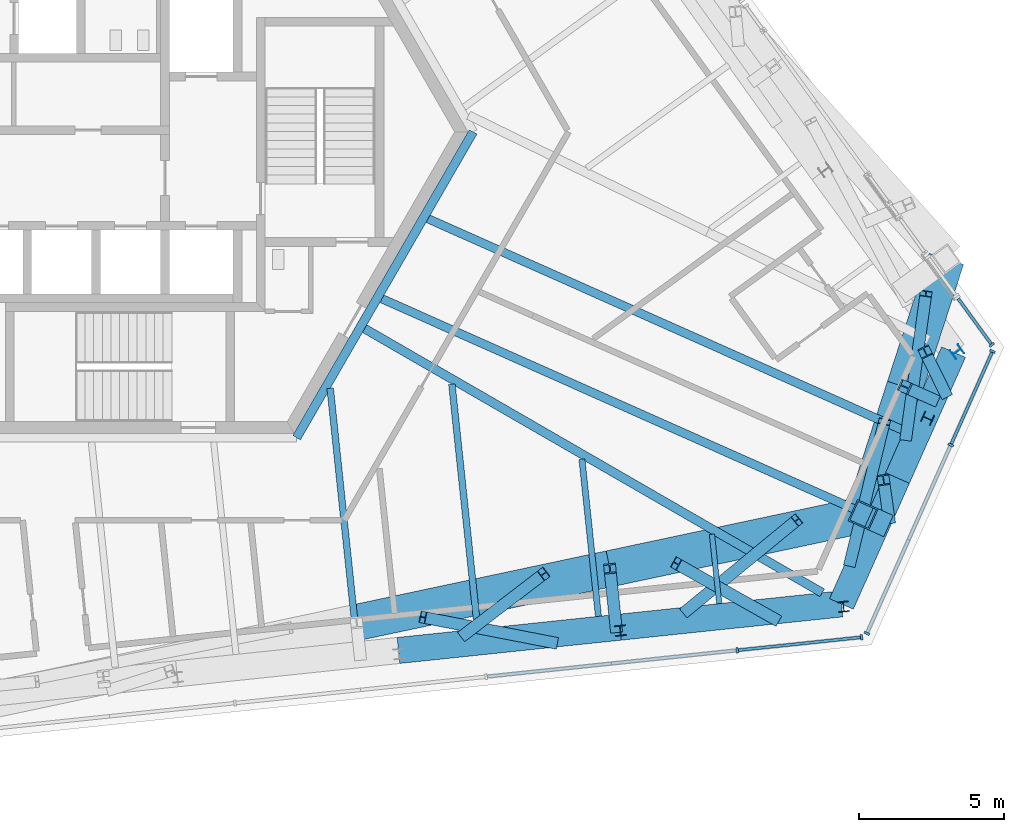
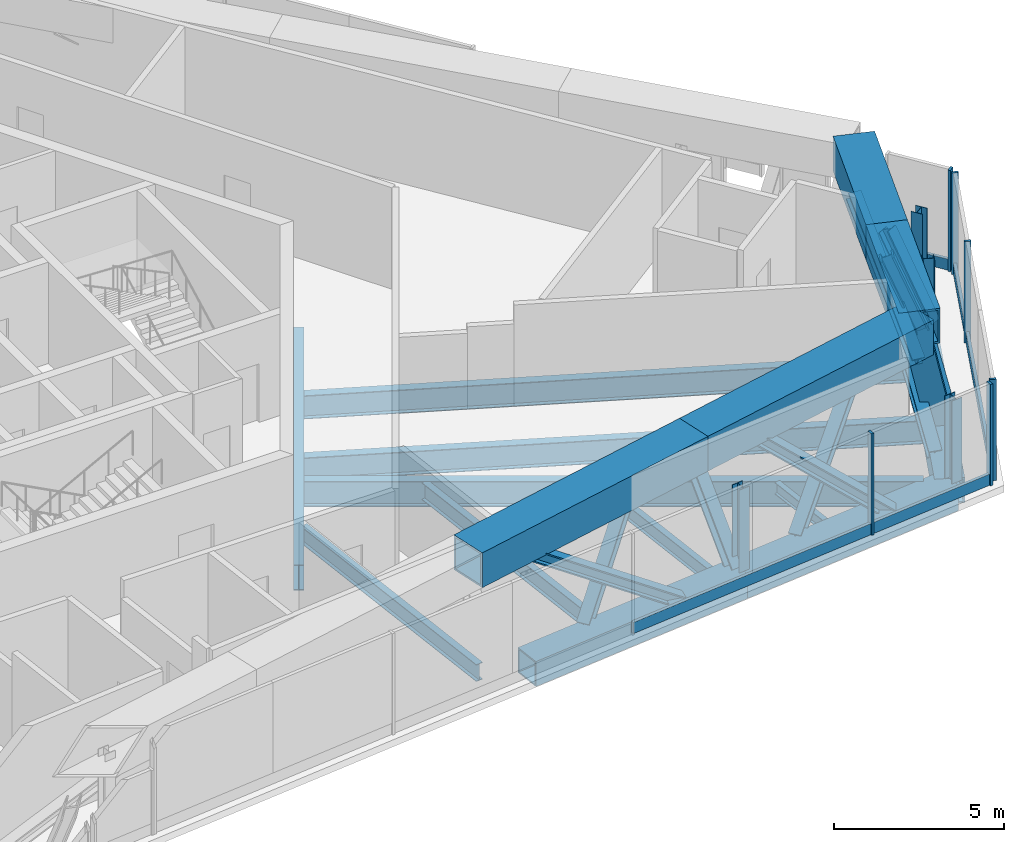
# One storey, part 4 of 23: 34 members, 8 beams, 3 elements without a shape of their own.
"""IFC4 building model written with IfcOpenShell, lengths in metres."""

from ifc_helpers import new_model, si_unit, direction, frame, origin, origin_2d, place, context, subcontext, project, spatial, rectangle, hollow_rectangle, i_section, extrude, source, transform, mapped, material, material_profile, profile_set, type_object, element, aggregate, save


model = new_model("IFC4")

# Units and contexts
model_context = context("Model", 3, precision=1e-05, world=origin(), true_north=direction((0.0, 1.0)))
body_context = subcontext(model_context, "Body", "Model", "MODEL_VIEW")
ifc_project = project(units=[si_unit("LENGTHUNIT", "METRE"), si_unit("AREAUNIT", "SQUARE_METRE"), si_unit("VOLUMEUNIT", "CUBIC_METRE"), si_unit("PLANEANGLEUNIT", "RADIAN"), si_unit("MASSUNIT", "GRAM", prefix="KILO")], contexts=[model_context])

# Site, building, storey
site_placement = place(None, origin())
site = spatial("IfcSite", under=ifc_project, at=site_placement, CompositionType="ELEMENT")
building_placement = place(site_placement, origin())
building = spatial("IfcBuilding", under=site, at=building_placement, Name="Triune Harvest Tower", CompositionType="ELEMENT")
storey_placement = place(building_placement, frame((0.0, 0.0, 255.699951171875)))
storey = spatial("IfcBuildingStorey", under=building, at=storey_placement, Name="L67", CompositionType="ELEMENT", Elevation=255.699951171875)

# Members
ifc_material_1 = material(Name="Steel ASTM A992 Gr 50", Category="steel")
ifc_material_profile_1 = material_profile(ifc_material_1, i_section(OverallWidth=0.40380859375, OverallDepth=0.406494140625, WebThickness=0.027099609375, FlangeThickness=0.043701171875, at=origin_2d()), Name="W14x233")
ifc_profile_set_1 = profile_set([ifc_material_profile_1], Name="Steel ASTM A992 Gr 50")
member_type_1 = type_object("IfcMemberType", Name="TD-3 Belt truss diagonal W14x233", PredefinedType="BRACE", material=ifc_profile_set_1)
member_1_placement = place(storey_placement, frame((14.978759765625, -17.61865234375, -0.324951171875), z_axis=(-0.843447237607, 0.164038952307, 0.511554473638), x_axis=(-0.190909270103, -0.9816076867, 0.0)))
element("IfcMember", 1, at=member_1_placement, inside=storey, type_object=member_type_1, Name="truss/L67/TD36", PredefinedType="BRACE", context=body_context, shape_type="SweptSolid", body=[
    extrude(i_section(OverallWidth=0.40380859375, OverallDepth=0.406494140625, WebThickness=0.027099609375, FlangeThickness=0.043701171875, at=origin_2d()), origin(), (0.0, 0.0, 1.0), 5.375732421875),
])
member_2_placement = place(storey_placement, frame((27.100830078125, -10.542236328125, -0.324951171875), z_axis=(0.120447265871, 0.868254306407, 0.48127634011), x_axis=(-0.990514583948, 0.137407638017, 0.0)))
element("IfcMember", 2, at=member_2_placement, inside=storey, type_object=member_type_1, Name="truss/L67/TD41", PredefinedType="BRACE", context=body_context, shape_type="SweptSolid", body=[
    extrude(i_section(OverallWidth=0.40380859375, OverallDepth=0.406494140625, WebThickness=0.027099609375, FlangeThickness=0.043701171875, at=origin_2d()), origin(), (0.0, 0.0, 1.0), 5.7138671875),
])

# Curtain wall, member
ifc_material_2 = material(Name="Aluminium bronze anodised", Category="aluminium")
curtain_wall_type = type_object("IfcCurtainWallType", Name="CW-5 Plant louvre wall", PredefinedType="NOTDEFINED", material=ifc_material_2)
curtain_wall_1_placement = place(storey_placement, origin())
curtain_wall_1 = element("IfcCurtainWall", 3, at=curtain_wall_1_placement, inside=storey, type_object=curtain_wall_type, Name="CW-5 B6-F5 L67 run 801")
ifc_material_3 = material(Name="Aluminium bronze anodised", Category="aluminium")
ifc_material_profile_2 = material_profile(ifc_material_3, rectangle(XDim=0.10009765625, YDim=0.39990234375, at=origin_2d()), Name="TR-5 transom 100 x 400")
ifc_profile_set_2 = profile_set([ifc_material_profile_2], Name="Aluminium bronze anodised")
member_type_2 = type_object("IfcMemberType", Name="TR-5 transom 100 x 400", PredefinedType="USERDEFINED", material=ifc_profile_set_2)
member_3_placement = place(storey_placement, frame((21.321533203125, -17.87255859375, 0.199951171875), z_axis=(0.994525657324, 0.104492664448, 0.0), x_axis=(-0.104492664448, 0.994525657324, 0.0)))
member_3 = element("IfcMember", 4, at=member_3_placement, type_object=member_type_2, Name="CW-5 transom B6-F5 801.4", ObjectType="TRANSOM", PredefinedType="USERDEFINED", context=body_context, shape_type="SweptSolid", body=[
    extrude(rectangle(XDim=0.10009765625, YDim=0.39990234375, at=origin_2d()), origin(), (0.0, 0.0, 1.0), 4.233642578125),
])

# Beams
ifc_material_4 = material(Name="Steel ASTM A992 Gr 50", Category="steel")
ifc_material_profile_3 = material_profile(ifc_material_4, i_section(OverallWidth=0.3046875, OverallDepth=0.914306640625, WebThickness=0.0166015625, FlangeThickness=0.02587890625, at=origin_2d()), Name="W36x160")
ifc_profile_set_3 = profile_set([ifc_material_profile_3], Name="Steel ASTM A992 Gr 50")
beam_type_1 = type_object("IfcBeamType", Name="CG-1 Core ring girder W36x160", PredefinedType="BEAM", material=ifc_profile_set_3)
shared_shape_1 = source(origin(), body_context, "Body", "SweptSolid", [
    extrude(i_section(OverallWidth=0.3046875, OverallDepth=0.914306640625, WebThickness=0.0166015625, FlangeThickness=0.02587890625, at=origin_2d()), origin(), (0.0, 0.0, 1.0), 12.176025390625),
])
beam_1_placement = place(storey_placement, frame((6.087890625, -10.544677734375, -0.70703125), z_axis=(0.5000099932, 0.866019634131, 0.0), x_axis=(-0.866019634131, 0.5000099932, 0.0)))
element("IfcBeam", 5, at=beam_1_placement, inside=storey, type_object=beam_type_1, Name="beam/L67/CG6", PredefinedType="BEAM", context=body_context, shape_type="MappedRepresentation", body=[
    mapped(shared_shape_1, transform((0.0, 0.0, 0.0), scale=1.0)),
])
ifc_material_5 = material(Name="Steel ASTM A992 Gr 50", Category="steel")
ifc_material_profile_4 = material_profile(ifc_material_5, i_section(OverallWidth=0.3046875, OverallDepth=0.914306640625, WebThickness=0.0166015625, FlangeThickness=0.02587890625, at=origin_2d()), Name="W36x160")
ifc_profile_set_4 = profile_set([ifc_material_profile_4], Name="Steel ASTM A992 Gr 50")
beam_type_2 = type_object("IfcBeamType", Name="HG-3 Hip girder W36x160", PredefinedType="BEAM", material=ifc_profile_set_4)
shared_shape_2 = source(origin(), body_context, "Body", "SweptSolid", [
    extrude(i_section(OverallWidth=0.3046875, OverallDepth=0.914306640625, WebThickness=0.0166015625, FlangeThickness=0.02587890625, at=origin_2d()), origin(), (0.0, 0.0, 1.0), 18.218994140625),
])
beam_2_placement = place(storey_placement, frame((24.212890625, -15.89404296875, -0.70703125), z_axis=(-0.866022014213, 0.500005870864, 0.0), x_axis=(-0.500005870864, -0.866022014213, 0.0)))
element("IfcBeam", 6, at=beam_2_placement, inside=storey, type_object=beam_type_2, Name="beam/L67/HG10", PredefinedType="BEAM", context=body_context, shape_type="MappedRepresentation", body=[
    mapped(shared_shape_2, transform((0.0, 0.0, 0.0), scale=1.0)),
])
ifc_material_6 = material(Name="Steel ASTM A992 Gr 50", Category="steel")
ifc_material_profile_5 = material_profile(ifc_material_6, i_section(OverallWidth=0.22900390625, OverallDepth=0.612060546875, WebThickness=0.011962890625, FlangeThickness=0.01953125, at=origin_2d()), Name="W24x84")
ifc_profile_set_5 = profile_set([ifc_material_profile_5], Name="Steel ASTM A992 Gr 50")
beam_type_3 = type_object("IfcBeamType", Name="JT-3 Floor joist W24x84", PredefinedType="JOIST", material=ifc_profile_set_5)
shared_shape_3 = source(origin(), body_context, "Body", "SweptSolid", [
    extrude(i_section(OverallWidth=0.22900390625, OverallDepth=0.612060546875, WebThickness=0.011962890625, FlangeThickness=0.01953125, at=origin_2d()), origin(), (0.0, 0.0, 1.0), 8.787109375),
])
beam_3_placement = place(storey_placement, frame((8.16552734375, -17.580810546875, -0.55615234375), z_axis=(-0.104522799546, 0.994522490633, 0.0), x_axis=(-0.994522490633, -0.104522799546, 0.0)))
element("IfcBeam", 7, at=beam_3_placement, inside=storey, type_object=beam_type_3, Name="beam/L67/JT31", PredefinedType="JOIST", context=body_context, shape_type="MappedRepresentation", body=[
    mapped(shared_shape_3, transform((0.0, 0.0, 0.0), scale=1.0)),
])
shared_shape_4 = source(origin(), body_context, "Body", "SweptSolid", [
    extrude(i_section(OverallWidth=0.22900390625, OverallDepth=0.612060546875, WebThickness=0.011962890625, FlangeThickness=0.01953125, at=origin_2d()), origin(), (0.0, 0.0, 1.0), 8.49169921875),
])
beam_4_placement = place(storey_placement, frame((12.33154296875, -17.142822265625, -0.55615234375), z_axis=(-0.104538114626, 0.994520880922, 0.0), x_axis=(-0.994520880922, -0.104538114626, 0.0)))
element("IfcBeam", 8, at=beam_4_placement, inside=storey, type_object=beam_type_3, Name="beam/L67/JT32", PredefinedType="JOIST", context=body_context, shape_type="MappedRepresentation", body=[
    mapped(shared_shape_4, transform((0.0, 0.0, 0.0), scale=1.0)),
])
ifc_material_7 = material(Name="Steel ASTM A992 Gr 50", Category="steel")
ifc_material_profile_6 = material_profile(ifc_material_7, i_section(OverallWidth=0.180908203125, OverallDepth=0.41650390625, WebThickness=0.010986328125, FlangeThickness=0.01806640625, at=origin_2d()), Name="W16x57")
ifc_profile_set_6 = profile_set([ifc_material_profile_6], Name="Steel ASTM A992 Gr 50")
beam_type_4 = type_object("IfcBeamType", Name="JT-1 Floor joist W16x57", PredefinedType="JOIST", material=ifc_profile_set_6)
shared_shape_5 = source(origin(), body_context, "Body", "SweptSolid", [
    extrude(i_section(OverallWidth=0.180908203125, OverallDepth=0.41650390625, WebThickness=0.010986328125, FlangeThickness=0.01806640625, at=origin_2d()), origin(), (0.0, 0.0, 1.0), 2.405029296875),
])
beam_5_placement = place(storey_placement, frame((20.6630859375, -16.26708984375, -0.458251953125), z_axis=(-0.104557962465, 0.994518794435, 0.0), x_axis=(-0.994518794435, -0.104557962465, 0.0)))
element("IfcBeam", 9, at=beam_5_placement, inside=storey, type_object=beam_type_4, Name="beam/L67/JT34", PredefinedType="JOIST", context=body_context, shape_type="MappedRepresentation", body=[
    mapped(shared_shape_5, transform((0.0, 0.0, 0.0), scale=1.0)),
])
ifc_material_8 = material(Name="Steel ASTM A992 Gr 50", Category="steel")
ifc_material_profile_7 = material_profile(ifc_material_8, i_section(OverallWidth=0.2919921875, OverallDepth=0.8408203125, WebThickness=0.0146484375, FlangeThickness=0.021728515625, at=origin_2d()), Name="W33x130")
ifc_profile_set_7 = profile_set([ifc_material_profile_7], Name="Steel ASTM A992 Gr 50")
beam_type_5 = type_object("IfcBeamType", Name="JT-6 Floor joist W33x130", PredefinedType="JOIST", material=ifc_profile_set_7)
shared_shape_6 = source(origin(), body_context, "Body", "SweptSolid", [
    extrude(i_section(OverallWidth=0.2919921875, OverallDepth=0.8408203125, WebThickness=0.0146484375, FlangeThickness=0.021728515625, at=origin_2d()), origin(), (0.0, 0.0, 1.0), 18.306396484375),
])
beam_6_placement = place(storey_placement, frame((25.75341796875, -13.199951171875, -0.67041015625), z_axis=(-0.913541319534, 0.406745937292, 0.0), x_axis=(-0.406745937292, -0.913541319534, 0.0)))
element("IfcBeam", 10, at=beam_6_placement, inside=storey, type_object=beam_type_5, Name="beam/L67/JT35", PredefinedType="JOIST", context=body_context, shape_type="MappedRepresentation", body=[
    mapped(shared_shape_6, transform((0.0, 0.0, 0.0), scale=1.0)),
])
shared_shape_7 = source(origin(), body_context, "Body", "SweptSolid", [
    extrude(i_section(OverallWidth=0.2919921875, OverallDepth=0.8408203125, WebThickness=0.0146484375, FlangeThickness=0.021728515625, at=origin_2d()), origin(), (0.0, 0.0, 1.0), 17.973388671875),
])
beam_7_placement = place(storey_placement, frame((27.0419921875, -10.305908203125, -0.67041015625), z_axis=(-0.91354752702, 0.406731995146, 0.0), x_axis=(-0.406731995146, -0.91354752702, 0.0)))
element("IfcBeam", 11, at=beam_7_placement, inside=storey, type_object=beam_type_5, Name="beam/L67/JT36", PredefinedType="JOIST", context=body_context, shape_type="MappedRepresentation", body=[
    mapped(shared_shape_7, transform((0.0, 0.0, 0.0), scale=1.0)),
])
ifc_material_9 = material(Name="Steel ASTM A992 Gr 50", Category="steel")
ifc_material_profile_8 = material_profile(ifc_material_9, i_section(OverallWidth=0.2099609375, OverallDepth=0.535888671875, WebThickness=0.010986328125, FlangeThickness=0.017333984375, at=origin_2d()), Name="W21x68")
ifc_profile_set_8 = profile_set([ifc_material_profile_8], Name="Steel ASTM A992 Gr 50")
beam_type_6 = type_object("IfcBeamType", Name="JT-2 Floor joist W21x68", PredefinedType="JOIST", material=ifc_profile_set_8)
shared_shape_8 = source(origin(), body_context, "Body", "SweptSolid", [
    extrude(i_section(OverallWidth=0.2099609375, OverallDepth=0.535888671875, WebThickness=0.010986328125, FlangeThickness=0.017333984375, at=origin_2d()), origin(), (0.0, 0.0, 1.0), 5.447998046875),
])
beam_8_placement = place(storey_placement, frame((16.497314453125, -16.704833984375, -0.51806640625), z_axis=(-0.10454715443, 0.99451993067, 0.0), x_axis=(-0.99451993067, -0.10454715443, 0.0)))
element("IfcBeam", 12, at=beam_8_placement, inside=storey, type_object=beam_type_6, Name="beam/L67/JT33", PredefinedType="JOIST", context=body_context, shape_type="MappedRepresentation", body=[
    mapped(shared_shape_8, transform((0.0, 0.0, 0.0), scale=1.0)),
])

# Members
ifc_material_10 = material(Name="Steel ASTM A992 Gr 50", Category="steel")
ifc_material_profile_9 = material_profile(ifc_material_10, i_section(OverallWidth=0.368408203125, OverallDepth=0.355712890625, WebThickness=0.01123046875, FlangeThickness=0.01806640625, at=origin_2d()), Name="W14x90")
ifc_profile_set_9 = profile_set([ifc_material_profile_9], Name="Steel ASTM A992 Gr 50")
member_type_3 = type_object("IfcMemberType", Name="WP-6 Roof edge post W14x90", PredefinedType="POST", material=ifc_profile_set_9)
shared_shape_9 = source(origin(), body_context, "Body", "SweptSolid", [
    extrude(i_section(OverallWidth=0.368408203125, OverallDepth=0.355712890625, WebThickness=0.01123046875, FlangeThickness=0.01806640625, at=origin_2d()), origin(), (0.0, 0.0, 1.0), 2.9755859375),
])
for number, where, z_axis, x_axis, name in (
    (13, (28.860595703125, -7.58251953125, -0.25), (0.0, 0.0, 1.0), (-0.587785252292, 0.809016994375, 0.0), "post/L67/W0"),
    (14, (17.251220703125, -17.19873046875, -0.25), (0.0, 0.0, 1.0), (0.99452171293, 0.104530199036, 0.0), "post/L67/W21"),
    (15, (24.946533203125, -16.373779296875, -0.25), (0.0, 0.0, 1.0), (0.99452171293, 0.104530199036, 0.0), "post/L67/W22"),
    (16, (27.8466796875, -9.880615234375, -0.25), (0.0, 0.0, 1.0), (0.406741426383, 0.913543327962, 0.0), "post/L67/W23"),
):
    element("IfcMember", number, at=place(storey_placement, frame(where, z_axis=z_axis, x_axis=x_axis)), inside=storey, type_object=member_type_3, Name=name, PredefinedType="POST", context=body_context, shape_type="MappedRepresentation", body=[
        mapped(shared_shape_9, transform((0.0, 0.0, 0.0), scale=1.0)),
    ])
ifc_material_11 = material(Name="Steel ASTM A572 Gr 50", Category="steel")
ifc_material_profile_10 = material_profile(ifc_material_11, hollow_rectangle(XDim=0.89990234375, YDim=0.89990234375, WallThickness=0.050048828125, at=origin_2d()), Name="Box 900x900x50")
ifc_profile_set_10 = profile_set([ifc_material_profile_10], Name="Steel ASTM A572 Gr 50")
member_type_4 = type_object("IfcMemberType", Name="TC-2 Belt truss chord Box 900x900x50", PredefinedType="CHORD", material=ifc_profile_set_10)
shared_shape_10 = source(origin(), body_context, "Body", "SweptSolid", [
    extrude(hollow_rectangle(XDim=0.89990234375, YDim=0.89990234375, WallThickness=0.050048828125, at=origin_2d()), origin(), (0.0, 0.0, 1.0), 7.679443359375),
])
member_4_placement = place(storey_placement, frame((17.238525390625, -17.07958984375, -0.699951171875), z_axis=(0.994521815363, 0.104529224464, 0.0), x_axis=(-0.104529224464, 0.994521815363, 0.0)))
element("IfcMember", 17, at=member_4_placement, inside=storey, type_object=member_type_4, Name="truss/L67/TCB22", PredefinedType="CHORD", context=body_context, shape_type="MappedRepresentation", body=[
    mapped(shared_shape_10, transform((0.0, 0.0, 0.0), scale=1.0)),
])
shared_shape_11 = source(origin(), body_context, "Body", "SweptSolid", [
    extrude(hollow_rectangle(XDim=0.89990234375, YDim=0.89990234375, WallThickness=0.050048828125, at=origin_2d()), origin(), (0.0, 0.0, 1.0), 4.751708984375),
])
for number, where, z_axis, x_axis, name in (
    (18, (24.8759765625, -16.27685546875, -0.699951171875), (0.406729523831, 0.913548627301, 0.0), (-0.913548627301, 0.406729523831, 0.0), "truss/L67/TCB23"),
    (19, (26.80859375, -11.93603515625, -0.699951171875), (0.406772403324, 0.913529535316, 0.0), (-0.913529535316, 0.406772403324, 0.0), "truss/L67/TCB24"),
):
    element("IfcMember", number, at=place(storey_placement, frame(where, z_axis=z_axis, x_axis=x_axis)), inside=storey, type_object=member_type_4, Name=name, PredefinedType="CHORD", context=body_context, shape_type="MappedRepresentation", body=[
        mapped(shared_shape_11, transform((0.0, 0.0, 0.0), scale=1.0)),
    ])
shared_shape_12 = source(origin(), body_context, "Body", "SweptSolid", [
    extrude(hollow_rectangle(XDim=0.89990234375, YDim=0.89990234375, WallThickness=0.050048828125, at=origin_2d()), origin(), (0.0, 0.0, 1.0), 7.67919921875),
])
member_5_placement = place(storey_placement, frame((9.601318359375, -17.88232421875, -0.699951171875), z_axis=(0.994521467985, 0.104532529465, 0.0), x_axis=(-0.104532529465, 0.994521467985, 0.0)))
element("IfcMember", 20, at=member_5_placement, inside=storey, type_object=member_type_4, Name="truss/L67/TCB21", PredefinedType="CHORD", context=body_context, shape_type="MappedRepresentation", body=[
    mapped(shared_shape_12, transform((0.0, 0.0, 0.0), scale=1.0)),
])
ifc_material_12 = material(Name="Steel ASTM A572 Gr 50", Category="steel")
ifc_material_profile_11 = material_profile(ifc_material_12, hollow_rectangle(XDim=1.25, YDim=1.25, WallThickness=0.070068359375, at=origin_2d()), Name="Box 1250x1250x70")
ifc_profile_set_11 = profile_set([ifc_material_profile_11], Name="Steel ASTM A572 Gr 50")
member_type_5 = type_object("IfcMemberType", Name="TC-1 Belt truss chord Box 1250x1250x70", PredefinedType="CHORD", material=ifc_profile_set_11)
shared_shape_13 = source(origin(), body_context, "Body", "SweptSolid", [
    extrude(hollow_rectangle(XDim=1.25, YDim=1.25, WallThickness=0.070068359375, at=origin_2d()), origin(), (0.0, 0.0, 1.0), 8.927978515625),
])
for number, where, z_axis, x_axis, name in (
    (21, (8.15966796875, -16.91748046875, 3.01513671875), (0.978148424958, 0.20790781311, 0.0), (-0.20790781311, 0.978148424958, 0.0), "truss/L67/TCT18"),
    (22, (16.892578125, -15.061279296875, 3.01513671875), (0.978148424958, 0.20790781311, 0.0), (-0.20790781311, 0.978148424958, 0.0), "truss/L67/TCT19"),
):
    element("IfcMember", number, at=place(storey_placement, frame(where, z_axis=z_axis, x_axis=x_axis)), inside=storey, type_object=member_type_5, Name=name, PredefinedType="CHORD", context=body_context, shape_type="MappedRepresentation", body=[
        mapped(shared_shape_13, transform((0.0, 0.0, 0.0), scale=1.0)),
    ])
shared_shape_14 = source(origin(), body_context, "Body", "SweptSolid", [
    extrude(hollow_rectangle(XDim=1.25, YDim=1.25, WallThickness=0.070068359375, at=origin_2d()), origin(), (0.0, 0.0, 1.0), 4.64013671875),
])
member_6_placement = place(storey_placement, frame((25.62548828125, -13.205078125, 3.01513671875), z_axis=(0.309005171537, 0.951060357687, 0.0), x_axis=(-0.951060357687, 0.309005171537, 0.0)))
element("IfcMember", 23, at=member_6_placement, inside=storey, type_object=member_type_5, Name="truss/L67/TCT20", PredefinedType="CHORD", context=body_context, shape_type="MappedRepresentation", body=[
    mapped(shared_shape_14, transform((0.0, 0.0, 0.0), scale=1.0)),
])
shared_shape_15 = source(origin(), body_context, "Body", "SweptSolid", [
    extrude(hollow_rectangle(XDim=1.25, YDim=1.25, WallThickness=0.070068359375, at=origin_2d()), origin(), (0.0, 0.0, 1.0), 4.639892578125),
])
member_7_placement = place(storey_placement, frame((27.059326171875, -8.7919921875, 3.01513671875), z_axis=(0.309020634765, 0.951055333453, 0.0), x_axis=(-0.951055333453, 0.309020634765, 0.0)))
element("IfcMember", 24, at=member_7_placement, inside=storey, type_object=member_type_5, Name="truss/L67/TCT21", PredefinedType="CHORD", context=body_context, shape_type="MappedRepresentation", body=[
    mapped(shared_shape_15, transform((0.0, 0.0, 0.0), scale=1.0)),
])
ifc_material_13 = material(Name="Steel ASTM A572 Gr 50", Category="steel")
ifc_material_profile_12 = material_profile(ifc_material_13, hollow_rectangle(XDim=0.800048828125, YDim=0.800048828125, WallThickness=0.050048828125, at=origin_2d()), Name="Box 800x800x50")
ifc_profile_set_12 = profile_set([ifc_material_profile_12], Name="Steel ASTM A572 Gr 50")
member_type_6 = type_object("IfcMemberType", Name="TS-2 Belt truss raked strut Box 800x800x50", PredefinedType="STRUT", material=ifc_profile_set_12)
shared_shape_16 = source(origin(), body_context, "Body", "SweptSolid", [
    extrude(hollow_rectangle(XDim=0.800048828125, YDim=0.800048828125, WallThickness=0.050048828125, at=origin_2d()), origin(), (0.0, 0.0, 1.0), 2.75830078125),
])
member_8_placement = place(storey_placement, frame((26.141357421875, -13.434814453125, -0.27490234375), z_axis=(-0.187019177591, 0.083286817848, 0.978819254605), x_axis=(-0.406820271763, -0.913508219165, 0.0)))
element("IfcMember", 25, at=member_8_placement, inside=storey, type_object=member_type_6, Name="truss/L67/TS20", PredefinedType="STRUT", context=body_context, shape_type="MappedRepresentation", body=[
    mapped(shared_shape_16, transform((0.0, 0.0, 0.0), scale=1.0)),
])
ifc_material_14 = material(Name="Steel ASTM A992 Gr 50", Category="steel")
ifc_material_profile_13 = material_profile(ifc_material_14, i_section(OverallWidth=0.411376953125, OverallDepth=0.434326171875, WebThickness=0.035888671875, FlangeThickness=0.057373046875, at=origin_2d()), Name="W14x311")
ifc_profile_set_13 = profile_set([ifc_material_profile_13], Name="Steel ASTM A992 Gr 50")
member_type_7 = type_object("IfcMemberType", Name="TV-1 Belt truss strut W14x311", PredefinedType="STRUT", material=ifc_profile_set_13)
shared_shape_17 = source(origin(), body_context, "Body", "SweptSolid", [
    extrude(i_section(OverallWidth=0.411376953125, OverallDepth=0.434326171875, WebThickness=0.035888671875, FlangeThickness=0.057373046875, at=origin_2d()), origin(), (0.0, 0.0, 1.0), 2.896728515625),
])
member_9_placement = place(storey_placement, frame((28.018310546875, -9.218994140625, -0.27490234375), z_axis=(-0.331044281171, 0.14740235432, 0.932031238664), x_axis=(-0.406764150759, -0.913533209937, 0.0)))
element("IfcMember", 26, at=member_9_placement, inside=storey, type_object=member_type_7, Name="truss/L67/TS21", PredefinedType="STRUT", context=body_context, shape_type="MappedRepresentation", body=[
    mapped(shared_shape_17, transform((0.0, 0.0, 0.0), scale=1.0)),
])
shared_shape_18 = source(origin(), body_context, "Body", "SweptSolid", [
    extrude(i_section(OverallWidth=0.411376953125, OverallDepth=0.434326171875, WebThickness=0.035888671875, FlangeThickness=0.057373046875, at=origin_2d()), origin(), (0.0, 0.0, 1.0), 3.385986328125),
])
member_10_placement = place(storey_placement, frame((17.106201171875, -17.093505859375, -0.27490234375), z_axis=(-0.063089210364, 0.600176670941, 0.797375517052), x_axis=(-0.994520499918, -0.104541739239, 0.0)))
element("IfcMember", 27, at=member_10_placement, inside=storey, type_object=member_type_7, Name="truss/L67/TS19", PredefinedType="STRUT", context=body_context, shape_type="MappedRepresentation", body=[
    mapped(shared_shape_18, transform((0.0, 0.0, 0.0), scale=1.0)),
])
shared_shape_19 = source(origin(), body_context, "Body", "SweptSolid", [
    extrude(i_section(OverallWidth=0.40380859375, OverallDepth=0.406494140625, WebThickness=0.027099609375, FlangeThickness=0.043701171875, at=origin_2d()), origin(), (0.0, 0.0, 1.0), 4.41845703125),
])
member_11_placement = place(storey_placement, frame((11.861083984375, -17.343017578125, -0.324951171875), z_axis=(0.621665643533, 0.475573388489, 0.622383948871), x_axis=(-0.607596832698, 0.794245609932, 0.0)))
element("IfcMember", 28, at=member_11_placement, inside=storey, type_object=member_type_1, Name="truss/L67/TD35", PredefinedType="BRACE", context=body_context, shape_type="MappedRepresentation", body=[
    mapped(shared_shape_19, transform((0.0, 0.0, 0.0), scale=1.0)),
])
shared_shape_20 = source(origin(), body_context, "Body", "SweptSolid", [
    extrude(i_section(OverallWidth=0.40380859375, OverallDepth=0.406494140625, WebThickness=0.027099609375, FlangeThickness=0.043701171875, at=origin_2d()), origin(), (0.0, 0.0, 1.0), 5.68115234375),
])
member_12_placement = place(storey_placement, frame((19.49853515625, -16.540283203125, -0.324951171875), z_axis=(0.67626844844, 0.555299033535, 0.484049552216), x_axis=(-0.634598030105, 0.772842377323, 0.0)))
element("IfcMember", 29, at=member_12_placement, inside=storey, type_object=member_type_1, Name="truss/L67/TD37", PredefinedType="BRACE", context=body_context, shape_type="MappedRepresentation", body=[
    mapped(shared_shape_20, transform((0.0, 0.0, 0.0), scale=1.0)),
])
shared_shape_21 = source(origin(), body_context, "Body", "SweptSolid", [
    extrude(i_section(OverallWidth=0.40380859375, OverallDepth=0.406494140625, WebThickness=0.027099609375, FlangeThickness=0.043701171875, at=origin_2d()), origin(), (0.0, 0.0, 1.0), 5.733642578125),
])
member_13_placement = place(storey_placement, frame((25.168212890625, -14.883056640625, -0.324951171875), z_axis=(0.20702347318, 0.852705074847, 0.479619992164), x_axis=(-0.971769917311, 0.235930557174, 0.0)))
element("IfcMember", 30, at=member_13_placement, inside=storey, type_object=member_type_1, Name="truss/L67/TD39", PredefinedType="BRACE", context=body_context, shape_type="MappedRepresentation", body=[
    mapped(shared_shape_21, transform((0.0, 0.0, 0.0), scale=1.0)),
])
shared_shape_22 = source(origin(), body_context, "Body", "SweptSolid", [
    extrude(i_section(OverallWidth=0.40380859375, OverallDepth=0.406494140625, WebThickness=0.027099609375, FlangeThickness=0.043701171875, at=origin_2d()), origin(), (0.0, 0.0, 1.0), 3.058837890625),
])
member_14_placement = place(storey_placement, frame((26.5166015625, -13.32958984375, -0.324951171875), z_axis=(-0.061136971606, 0.433625544041, 0.899016773068), x_axis=(-0.990206642055, -0.139609476866, 0.0)))
element("IfcMember", 31, at=member_14_placement, inside=storey, type_object=member_type_1, Name="truss/L67/TD40", PredefinedType="BRACE", context=body_context, shape_type="MappedRepresentation", body=[
    mapped(shared_shape_22, transform((0.0, 0.0, 0.0), scale=1.0)),
])
shared_shape_23 = source(origin(), body_context, "Body", "SweptSolid", [
    extrude(i_section(OverallWidth=0.40380859375, OverallDepth=0.406494140625, WebThickness=0.027099609375, FlangeThickness=0.043701171875, at=origin_2d()), origin(), (0.0, 0.0, 1.0), 3.160400390625),
])
member_15_placement = place(storey_placement, frame((28.44921875, -8.98876953125, -0.324951171875), z_axis=(-0.216918040173, 0.442488081948, 0.870144161149), x_axis=(-0.897911004082, -0.440177042504, 0.0)))
element("IfcMember", 32, at=member_15_placement, inside=storey, type_object=member_type_1, Name="truss/L67/TD42", PredefinedType="BRACE", context=body_context, shape_type="MappedRepresentation", body=[
    mapped(shared_shape_23, transform((0.0, 0.0, 0.0), scale=1.0)),
])
shared_shape_24 = source(origin(), body_context, "Body", "SweptSolid", [
    extrude(i_section(OverallWidth=0.40380859375, OverallDepth=0.406494140625, WebThickness=0.027099609375, FlangeThickness=0.043701171875, at=origin_2d()), origin(), (0.0, 0.0, 1.0), 4.8095703125),
])
member_16_placement = place(storey_placement, frame((22.6162109375, -16.81591796875, -0.324951171875), z_axis=(-0.714963335526, 0.40237943633, 0.57176762594), x_axis=(-0.490458041993, -0.871464806544, 0.0)))
element("IfcMember", 33, at=member_16_placement, inside=storey, type_object=member_type_1, Name="truss/L67/TD38", PredefinedType="BRACE", context=body_context, shape_type="MappedRepresentation", body=[
    mapped(shared_shape_24, transform((0.0, 0.0, 0.0), scale=1.0)),
])

# Curtain wall, member
curtain_wall_2_placement = place(storey_placement, origin())
curtain_wall_2 = element("IfcCurtainWall", 34, at=curtain_wall_2_placement, inside=storey, type_object=curtain_wall_type, Name="CW-5 B6-F1 L67 run 1")
ifc_material_15 = material(Name="Aluminium bronze anodised", Category="aluminium")
ifc_material_profile_14 = material_profile(ifc_material_15, rectangle(XDim=0.199951171875, YDim=0.080078125, at=origin_2d()), Name="MU-5 mullion 80 x 200")
ifc_profile_set_14 = profile_set([ifc_material_profile_14], Name="Aluminium bronze anodised")
member_type_8 = type_object("IfcMemberType", Name="MU-5 mullion 80 x 200", PredefinedType="MULLION", material=ifc_profile_set_14)
shared_shape_25 = source(origin(), body_context, "Body", "SweptSolid", [
    extrude(rectangle(XDim=0.199951171875, YDim=0.080078125, at=origin_2d()), origin(), (0.0, 0.0, 1.0), 3.64013671875),
])
member_17_placement = place(storey_placement, frame((30.060791015625, -7.34326171875, 0.0), z_axis=(0.0, 0.0, 1.0), x_axis=(-0.809028987509, -0.587768744805, 0.0)))
member_17 = element("IfcMember", 35, at=member_17_placement, type_object=member_type_8, Name="CW-5 mullion B6-F1 1.1", PredefinedType="MULLION", context=body_context, shape_type="MappedRepresentation", body=[
    mapped(shared_shape_25, transform((0.0, 0.0, 0.0), scale=1.0)),
])

# Member
member_18_placement = place(storey_placement, frame((21.28173828125, -17.876708984375, 0.0), z_axis=(0.0, 0.0, 1.0), x_axis=(-0.104530371484, 0.994521694805, 0.0)))
member_18 = element("IfcMember", 36, at=member_18_placement, type_object=member_type_8, Name="CW-5 mullion B6-F5 801.7", PredefinedType="MULLION", context=body_context, shape_type="MappedRepresentation", body=[
    mapped(shared_shape_25, transform((0.0, 0.0, 0.0), scale=1.0)),
])

member_19_placement = place(storey_placement, frame((25.57177734375, -17.42578125, 0.0), z_axis=(0.0, 0.0, 1.0), x_axis=(-0.104530371484, 0.994521694805, 0.0)))
member_19 = element("IfcMember", 37, at=member_19_placement, type_object=member_type_8, Name="CW-5 mullion B6-F5 801.8", PredefinedType="MULLION", context=body_context, shape_type="MappedRepresentation", body=[
    mapped(shared_shape_25, transform((0.0, 0.0, 0.0), scale=1.0)),
])

# Curtain wall, members
curtain_wall_3_placement = place(storey_placement, origin())
curtain_wall_3 = element("IfcCurtainWall", 38, at=curtain_wall_3_placement, inside=storey, type_object=curtain_wall_type, Name="CW-5 B6-F6 L67 run 1")
member_20_placement = place(storey_placement, frame((25.75390625, -17.29345703125, 0.0), z_axis=(0.0, 0.0, 1.0), x_axis=(-0.913542531121, 0.406743216086, 0.0)))
member_20 = element("IfcMember", 39, at=member_20_placement, type_object=member_type_8, Name="CW-5 mullion B6-F6 1.1", PredefinedType="MULLION", context=body_context, shape_type="MappedRepresentation", body=[
    mapped(shared_shape_25, transform((0.0, 0.0, 0.0), scale=1.0)),
])
member_21_placement = place(storey_placement, frame((28.646240234375, -10.797119140625, 0.0), z_axis=(0.0, 0.0, 1.0), x_axis=(-0.913542531121, 0.406743216086, 0.0)))
member_21 = element("IfcMember", 40, at=member_21_placement, type_object=member_type_8, Name="CW-5 mullion B6-F6 1.3", PredefinedType="MULLION", context=body_context, shape_type="MappedRepresentation", body=[
    mapped(shared_shape_25, transform((0.0, 0.0, 0.0), scale=1.0)),
])
member_22_placement = place(storey_placement, frame((30.08447265625, -7.567138671875, 0.0), z_axis=(0.0, 0.0, 1.0), x_axis=(-0.913542531121, 0.406743216086, 0.0)))
member_22 = element("IfcMember", 41, at=member_22_placement, type_object=member_type_8, Name="CW-5 mullion B6-F6 1.4", PredefinedType="MULLION", context=body_context, shape_type="MappedRepresentation", body=[
    mapped(shared_shape_25, transform((0.0, 0.0, 0.0), scale=1.0)),
])

# Member
shared_shape_26 = source(origin(), body_context, "Body", "SweptSolid", [
    extrude(rectangle(XDim=0.10009765625, YDim=0.39990234375, at=origin_2d()), origin(), (0.0, 0.0, 1.0), 1.935546875),
])
member_23_placement = place(storey_placement, frame((30.037353515625, -7.310791015625, 0.199951171875), z_axis=(-0.587781638456, 0.809019619969, 0.0), x_axis=(-0.809019619969, -0.587781638456, 0.0)))
member_23 = element("IfcMember", 42, at=member_23_placement, type_object=member_type_2, Name="CW-5 transom B6-F1 1.1", ObjectType="TRANSOM", PredefinedType="USERDEFINED", context=body_context, shape_type="MappedRepresentation", body=[
    mapped(shared_shape_26, transform((0.0, 0.0, 0.0), scale=1.0)),
])

aggregate(curtain_wall_2, [member_17, member_23])

shared_shape_27 = source(origin(), body_context, "Body", "SweptSolid", [
    extrude(rectangle(XDim=0.10009765625, YDim=0.39990234375, at=origin_2d()), origin(), (0.0, 0.0, 1.0), 7.03125),
])
member_24_placement = place(storey_placement, frame((25.770263671875, -17.257080078125, 0.199951171875), z_axis=(0.406737607742, 0.913545028145, 0.0), x_axis=(-0.913545028145, 0.406737607742, 0.0)))
member_24 = element("IfcMember", 43, at=member_24_placement, type_object=member_type_2, Name="CW-5 transom B6-F6 1.1", ObjectType="TRANSOM", PredefinedType="USERDEFINED", context=body_context, shape_type="MappedRepresentation", body=[
    mapped(shared_shape_27, transform((0.0, 0.0, 0.0), scale=1.0)),
])

shared_shape_28 = source(origin(), body_context, "Body", "SweptSolid", [
    extrude(rectangle(XDim=0.10009765625, YDim=0.39990234375, at=origin_2d()), origin(), (0.0, 0.0, 1.0), 3.45556640625),
])
member_25_placement = place(storey_placement, frame((28.66259765625, -10.760498046875, 0.199951171875), z_axis=(0.406748029, 0.913540388218, 0.0), x_axis=(-0.913540388218, 0.406748029, 0.0)))
member_25 = element("IfcMember", 44, at=member_25_placement, type_object=member_type_2, Name="CW-5 transom B6-F6 1.2", ObjectType="TRANSOM", PredefinedType="USERDEFINED", context=body_context, shape_type="MappedRepresentation", body=[
    mapped(shared_shape_28, transform((0.0, 0.0, 0.0), scale=1.0)),
])

aggregate(curtain_wall_3, [member_20, member_21, member_22, member_24, member_25])

shared_shape_29 = source(origin(), body_context, "Body", "SweptSolid", [
    extrude(rectangle(XDim=0.10009765625, YDim=0.39990234375, at=origin_2d()), origin(), (0.0, 0.0, 1.0), 8.62744140625),
])
member_26_placement = place(storey_placement, frame((12.661865234375, -18.78271484375, 0.199951171875), z_axis=(0.994521257699, 0.104534530103, 0.0), x_axis=(-0.104534530103, 0.994521257699, 0.0)))
member_26 = element("IfcMember", 45, at=member_26_placement, type_object=member_type_2, Name="CW-5 transom B6-F5 801.3", ObjectType="TRANSOM", PredefinedType="USERDEFINED", context=body_context, shape_type="MappedRepresentation", body=[
    mapped(shared_shape_29, transform((0.0, 0.0, 0.0), scale=1.0)),
])

aggregate(curtain_wall_1, [member_18, member_19, member_26, member_3])

save(model, "model.ifc")
